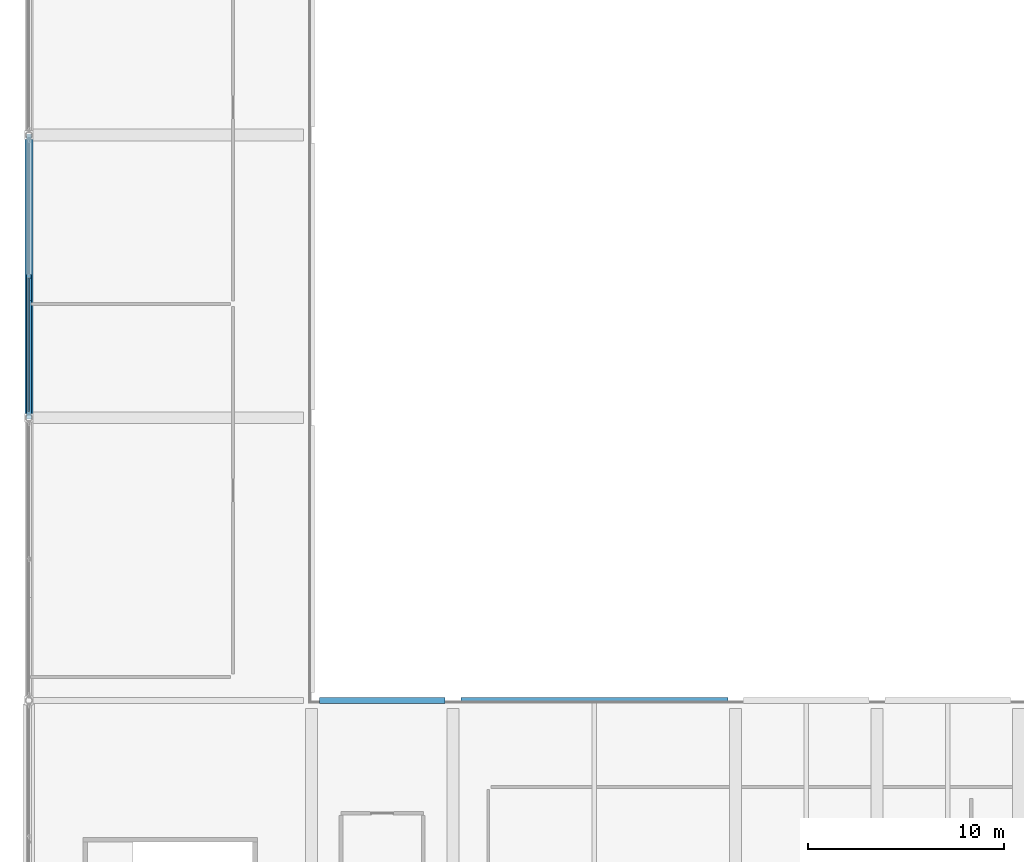
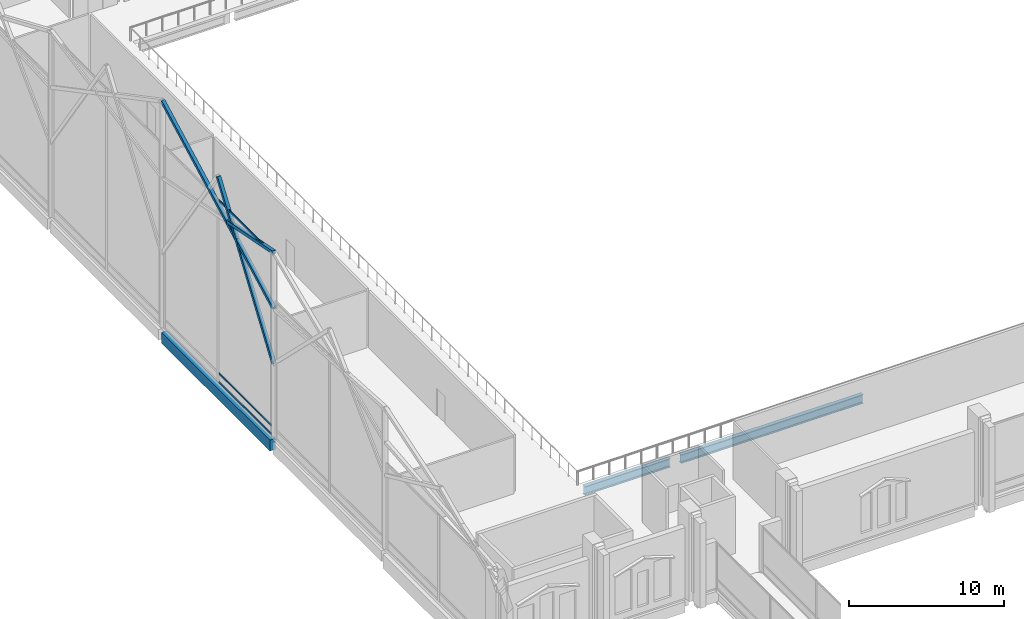
# One storey, part 53 of 220: 6 members, 3 beams, 1 element without a shape of its own.
"""IFC4 building model written with IfcOpenShell, lengths in metres."""

from ifc_helpers import new_model, si_unit, direction, frame, origin, origin_2d, place, context, subcontext, project, spatial, rectangle, hollow_rectangle, i_section, extrude, material, material_profile, profile_set, type_object, element, aggregate, save


model = new_model("IFC4")

# Units and contexts
model_context = context("Model", 3, precision=1e-05, world=origin(), true_north=direction((0.0, 1.0)))
body_context = subcontext(model_context, "Body", "Model", "MODEL_VIEW")
ifc_project = project(units=[si_unit("LENGTHUNIT", "METRE"), si_unit("AREAUNIT", "SQUARE_METRE"), si_unit("VOLUMEUNIT", "CUBIC_METRE"), si_unit("PLANEANGLEUNIT", "RADIAN"), si_unit("MASSUNIT", "GRAM", prefix="KILO")], contexts=[model_context])

# Site, building, storey
site_placement = place(None, origin())
site = spatial("IfcSite", under=ifc_project, at=site_placement, CompositionType="ELEMENT")
building_placement = place(site_placement, origin())
building = spatial("IfcBuilding", under=site, at=building_placement, Name="Cendralis Lancet Convention Centre", CompositionType="ELEMENT")
storey_placement = place(building_placement, frame((0.0, 0.0, 5.39990234375)))
storey = spatial("IfcBuildingStorey", under=building, at=storey_placement, Name="L01", CompositionType="ELEMENT", Elevation=5.39990234375)

# Curtain wall, members
ifc_material_1 = material(Name="Anodised bronze architectural aluminium", Category="aluminium")
curtain_wall_type = type_object("IfcCurtainWallType", Name="ARC-CW-GB02", PredefinedType="USERDEFINED", material=ifc_material_1)
curtain_wall_placement = place(storey_placement, origin())
curtain_wall = element("IfcCurtainWall", 1, at=curtain_wall_placement, inside=storey, type_object=curtain_wall_type, Name="L01 Curtain Wall CW-GB2 #101", ObjectType="CURTAIN WALL", PredefinedType="USERDEFINED")
ifc_material_profile_1 = material_profile(ifc_material_1, hollow_rectangle(XDim=0.070068359375, YDim=0.139892578125, WallThickness=0.00390625, at=origin_2d()), Name="AL-TRAN 70x140x4.0")
ifc_profile_set_1 = profile_set([ifc_material_profile_1], Name="Anodised bronze architectural aluminium")
member_type_1 = type_object("IfcMemberType", Name="ARC-CW-TR02", PredefinedType="USERDEFINED", material=ifc_profile_set_1)
member_1_placement = place(storey_placement, frame((0.0, 79.5078125, 0.070068359375), z_axis=(0.0, 1.0, 0.0), x_axis=(-1.0, 0.0, 0.0)))
member_1 = element("IfcMember", 2, at=member_1_placement, type_object=member_type_1, Name="Transom CW2-CW-GB2-L01-101-T0BOT", ObjectType="TRANSOM", PredefinedType="USERDEFINED", context=body_context, shape_type="SweptSolid", body=[
    extrude(hollow_rectangle(XDim=0.070068359375, YDim=0.139892578125, WallThickness=0.00390625, at=origin_2d()), origin(), (0.0, 0.0, 1.0), 6.812255859375),
])
member_2_placement = place(storey_placement, frame((0.0, 79.5078125, 0.75), z_axis=(0.0, 1.0, 0.0), x_axis=(-1.0, 0.0, 0.0)))
member_2 = element("IfcMember", 3, at=member_2_placement, type_object=member_type_1, Name="Transom CW2-CW-GB2-L01-101-T0MID", ObjectType="TRANSOM", PredefinedType="USERDEFINED", context=body_context, shape_type="SweptSolid", body=[
    extrude(hollow_rectangle(XDim=0.070068359375, YDim=0.139892578125, WallThickness=0.00390625, at=origin_2d()), origin(), (0.0, 0.0, 1.0), 6.812255859375),
])
member_3_placement = place(storey_placement, frame((0.0, 79.5078125, 14.385986328125), z_axis=(0.0, 1.0, 0.0), x_axis=(-1.0, 0.0, 0.0)))
member_3 = element("IfcMember", 4, at=member_3_placement, type_object=member_type_1, Name="Transom CW2-CW-GB2-L01-101-T0TOP", ObjectType="TRANSOM", PredefinedType="USERDEFINED", context=body_context, shape_type="SweptSolid", body=[
    extrude(hollow_rectangle(XDim=0.070068359375, YDim=0.139892578125, WallThickness=0.00390625, at=origin_2d()), origin(), (0.0, 0.0, 1.0), 6.812255859375),
])
aggregate(curtain_wall, [member_1, member_2, member_3])

# Beams
ifc_material_2 = material(Name="Steel S355", Category="steel")
ifc_material_profile_2 = material_profile(ifc_material_2, i_section(OverallWidth=0.300048828125, OverallDepth=0.68994140625, WebThickness=0.014404296875, FlangeThickness=0.027099609375, FilletRadius=0.027099609375, at=origin_2d()), Name="HEA 700")
ifc_profile_set_2 = profile_set([ifc_material_profile_2], Name="Steel S355")
beam_type_1 = type_object("IfcBeamType", Name="STR-BM-SG08", PredefinedType="BEAM", material=ifc_profile_set_2)
beam_1_placement = place(storey_placement, frame((14.800048828125, 64.800048828125, -0.625), z_axis=(1.0, 0.0, 0.0), x_axis=(0.0, 1.0, 0.0)))
element("IfcBeam", 5, at=beam_1_placement, inside=storey, type_object=beam_type_1, Name="L01 Beam SG08 #1195", PredefinedType="BEAM", context=body_context, shape_type="SweptSolid", body=[
    extrude(i_section(OverallWidth=0.300048828125, OverallDepth=0.68994140625, WebThickness=0.014404296875, FlangeThickness=0.027099609375, FilletRadius=0.027099609375, at=origin_2d()), origin(), (0.0, 0.0, 1.0), 6.39990234375),
])
beam_2_placement = place(storey_placement, frame((22.0, 64.800048828125, -0.625), z_axis=(1.0, 0.0, 0.0), x_axis=(0.0, 1.0, 0.0)))
element("IfcBeam", 6, at=beam_2_placement, inside=storey, type_object=beam_type_1, Name="L01 Beam SG08 #1197", PredefinedType="BEAM", context=body_context, shape_type="SweptSolid", body=[
    extrude(i_section(OverallWidth=0.300048828125, OverallDepth=0.68994140625, WebThickness=0.014404296875, FlangeThickness=0.027099609375, FilletRadius=0.027099609375, at=origin_2d()), origin(), (0.0, 0.0, 1.0), 13.60009765625),
])

# Members
ifc_material_profile_3 = material_profile(ifc_material_2, hollow_rectangle(XDim=0.25, YDim=0.25, WallThickness=0.012451171875, at=origin_2d()), Name="SHS 250x250x12.5")
ifc_profile_set_3 = profile_set([ifc_material_profile_3], Name="Steel S355")
member_type_2 = type_object("IfcMemberType", Name="STR-BR-GB01", PredefinedType="BRACE", material=ifc_profile_set_3)
member_4_placement = place(storey_placement, frame((0.0, 79.199951171875, 5.800048828125), z_axis=(0.0, 0.567480667836, 0.823386720583), x_axis=(-1.0, 0.0, 0.0)))
element("IfcMember", 7, at=member_4_placement, inside=storey, type_object=member_type_2, Name="Exhibition Gable Gothic Ogival Tracery Rib GBR1 #011", PredefinedType="BRACE", context=body_context, shape_type="SweptSolid", body=[
    extrude(hollow_rectangle(XDim=0.25, YDim=0.25, WallThickness=0.012451171875, at=origin_2d()), origin(), (0.0, 0.0, 1.0), 12.6875),
])
member_5_placement = place(storey_placement, frame((0.0, 79.199951171875, 10.203125), z_axis=(0.0, 0.883851695016, 0.467767229738), x_axis=(-1.0, 0.0, 0.0)))
element("IfcMember", 8, at=member_5_placement, inside=storey, type_object=member_type_2, Name="Exhibition Gable Gothic Ogival Tracery Rib GBR1 #013", PredefinedType="BRACE", context=body_context, shape_type="SweptSolid", body=[
    extrude(hollow_rectangle(XDim=0.25, YDim=0.25, WallThickness=0.012451171875, at=origin_2d()), origin(), (0.0, 0.0, 1.0), 16.29248046875),
])
member_6_placement = place(storey_placement, frame((0.0, 85.1455078125, 13.45263671875), z_axis=(0.0, -0.981693142697, 0.190469350768), x_axis=(1.0, 0.0, 0.0)))
element("IfcMember", 9, at=member_6_placement, inside=storey, type_object=member_type_2, Name="Exhibition Gable Split X-Brace Rib GBR1 #015", PredefinedType="BRACE", context=body_context, shape_type="SweptSolid", body=[
    extrude(hollow_rectangle(XDim=0.25, YDim=0.25, WallThickness=0.012451171875, at=origin_2d()), origin(), (0.0, 0.0, 1.0), 6.056396484375),
])

# Beam
ifc_material_3 = material(Name="Concrete G40 (C40/50)", Category="concrete")
ifc_material_profile_4 = material_profile(ifc_material_3, rectangle(XDim=0.39990234375, YDim=0.85009765625, at=origin_2d()), Name="RCB 400x850")
ifc_profile_set_4 = profile_set([ifc_material_profile_4], Name="Concrete G40 (C40/50)")
beam_type_2 = type_object("IfcBeamType", Name="STR-SP-SP02", PredefinedType="SPANDREL", material=ifc_profile_set_4)
beam_3_placement = place(storey_placement, frame((0.0, 79.377685546875, -0.704833984375), z_axis=(0.0, 1.0, 0.0), x_axis=(-1.0, 0.0, 0.0)))
element("IfcBeam", 10, at=beam_3_placement, inside=storey, type_object=beam_type_2, Name="L01 Beam SP02 #1279", PredefinedType="SPANDREL", context=body_context, shape_type="SweptSolid", body=[
    extrude(rectangle(XDim=0.39990234375, YDim=0.85009765625, at=origin_2d()), origin(), (0.0, 0.0, 1.0), 14.04443359375),
])

save(model, "model.ifc")
